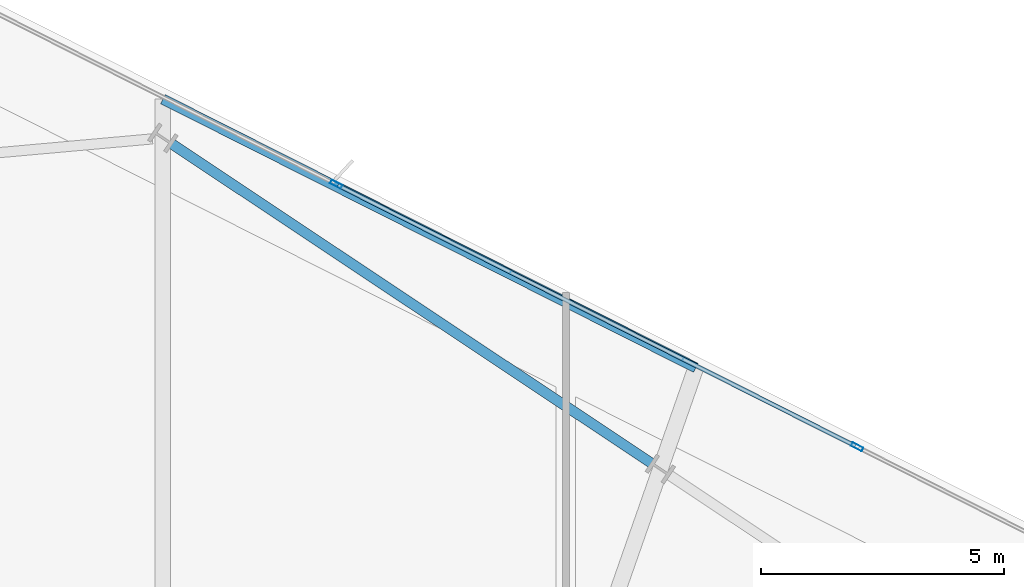
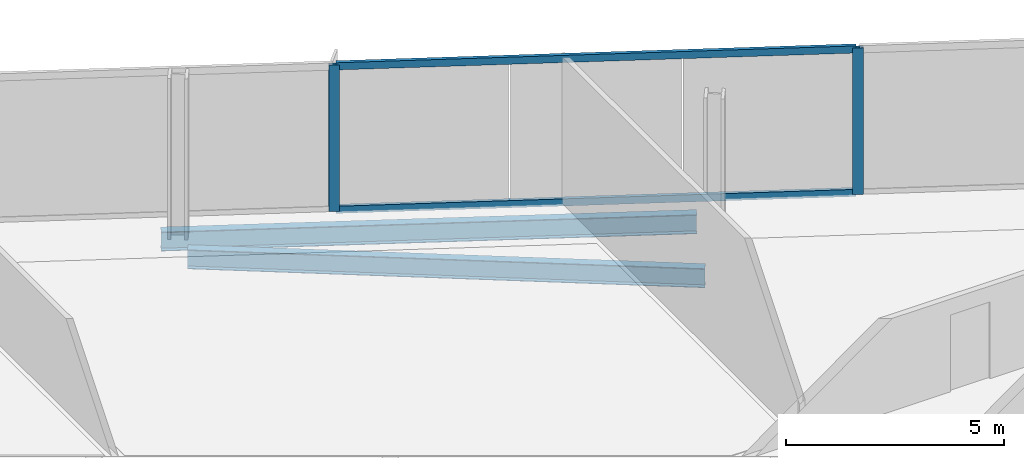
# One storey, part 18 of 27: 4 members, 2 beams, 1 element without a shape of its own.
"""IFC4 building model written with IfcOpenShell, lengths in metres."""

import ifcopenshell
import ifcopenshell.guid

model = None  # the IFC model being written
_history = None  # IfcOwnerHistory: only IFC2X3 demands one
_inside = {}  # id of a spatial element -> (the spatial element, [elements in it])
_under = {}  # id of a project, library or spatial element -> (it, [spatial elements below it])
_declared = {}  # id of a project -> (the project, [libraries it declares])
_typed = {}  # id of a type object -> (the type object, [elements of that type])
_made_of = {}  # id of a material, layer set ... -> (it, [elements and type objects made of it])


def new_model(schema):
    """Start an empty IFC model of exactly this schema.

    Asked for "IFC4X3", IfcOpenShell would pick the latest addendum, in which some entities
    have other attributes; the version numbers below select the first issue.
    IFC2X3 requires an IfcOwnerHistory on every rooted entity: one is made here for all.
    """
    global model, _history
    if schema == "IFC4X3":
        model = ifcopenshell.file(schema_version=(4, 3, 0, 0))
    else:
        model = ifcopenshell.file(schema=schema)
    _inside.clear()
    _under.clear()
    _declared.clear()
    _typed.clear()
    _made_of.clear()
    _history = None
    if model.schema == "IFC2X3":
        org = make("IfcOrganization", Name="unknown")
        user = make(
            "IfcPersonAndOrganization",
            ThePerson=make("IfcPerson", FamilyName="unknown"),
            TheOrganization=org,
        )
        app = make(
            "IfcApplication",
            ApplicationDeveloper=org,
            Version="unknown",
            ApplicationFullName="unknown",
            ApplicationIdentifier="unknown",
        )
        _history = make(
            "IfcOwnerHistory",
            OwningUser=user,
            OwningApplication=app,
            ChangeAction="ADDED",
            CreationDate=0,
        )
    return model


def make(cls, **values):
    """One entity of the class cls with the attributes given. An attribute that is None is left unset."""
    return model.create_entity(
        cls, **{name: value for name, value in values.items() if value is not None}
    )


def rooted(cls, **values):
    """An entity with a GlobalId (a new one), such as an element, a storey or a relation."""
    return make(cls, GlobalId=ifcopenshell.guid.new(), OwnerHistory=_history, **values)


def si_unit(unit_type, name, prefix=None):
    """IfcSIUnit, for example si_unit("LENGTHUNIT", "METRE", prefix="MILLI")."""
    return make("IfcSIUnit", UnitType=unit_type, Prefix=prefix, Name=name)


def assignment(units):
    """IfcUnitAssignment: the units of a project."""
    return None if units is None else make("IfcUnitAssignment", Units=units)


def point(xyz):
    """IfcCartesianPoint."""
    return None if xyz is None else make("IfcCartesianPoint", Coordinates=xyz)


def direction(xyz):
    """IfcDirection."""
    return None if xyz is None else make("IfcDirection", DirectionRatios=xyz)


def frame(location, z_axis=None, x_axis=None):
    """IfcAxis2Placement3D, a coordinate frame: its origin and axes. An axis left out is left unset."""
    return make(
        "IfcAxis2Placement3D",
        Location=point(location),
        Axis=direction(z_axis),
        RefDirection=direction(x_axis),
    )


def frame_2d(location, x_axis=None):
    """IfcAxis2Placement2D, a coordinate frame in the plane: its origin and x axis."""
    return make(
        "IfcAxis2Placement2D", Location=point(location), RefDirection=direction(x_axis)
    )


def origin():
    """The frame at (0, 0, 0) with its axes left unset."""
    return frame((0.0, 0.0, 0.0))


def origin_2d():
    """The frame at (0, 0) in the plane with its x axis left unset."""
    return frame_2d((0.0, 0.0))


def place(relative_to, where):
    """IfcLocalPlacement: puts the frame where relative to a parent placement (None: the world)."""
    return make(
        "IfcLocalPlacement", PlacementRelTo=relative_to, RelativePlacement=where
    )


def context(
    kind, dimensions, precision=None, world=None, true_north=None, identifier=None
):
    """IfcGeometricRepresentationContext, for example the 3D "Model" context."""
    return make(
        "IfcGeometricRepresentationContext",
        ContextIdentifier=identifier,
        ContextType=kind,
        CoordinateSpaceDimension=dimensions,
        Precision=precision,
        WorldCoordinateSystem=world,
        TrueNorth=true_north,
    )


def subcontext(parent, identifier, kind, view, scale=None):
    """IfcGeometricRepresentationSubContext, for example "Body" below "Model"."""
    return make(
        "IfcGeometricRepresentationSubContext",
        ContextIdentifier=identifier,
        ContextType=kind,
        ParentContext=parent,
        TargetScale=scale,
        TargetView=view,
    )


def project(units=None, contexts=None):
    """IfcProject with its units and contexts."""
    return rooted(
        "IfcProject",
        Name="project",
        RepresentationContexts=contexts,
        UnitsInContext=assignment(units),
    )


def spatial(cls, under=None, at=None, **own):
    """A site, building, storey or space (cls), placed at a placement, below another one or the project."""
    s = rooted(cls, ObjectPlacement=at, **own)
    if under is not None:
        _under.setdefault(under.id(), (under, []))[1].append(s)
    return s


def profile(cls, at=None, kind="AREA", **sizes):
    """A parametric profile (cls). Its sizes go by their IFC names, for example OverallWidth=200.0."""
    return make(cls, ProfileType=kind, Position=at, **sizes)


def hollow_rectangle(**sizes):
    """IfcRectangleHollowProfileDef."""
    return profile("IfcRectangleHollowProfileDef", **sizes)


def i_section(**sizes):
    """IfcIShapeProfileDef."""
    return profile("IfcIShapeProfileDef", **sizes)


def extrude(swept, where, along, depth):
    """IfcExtrudedAreaSolid: the profile swept, set in the frame where, extruded along a direction by depth."""
    return make(
        "IfcExtrudedAreaSolid",
        SweptArea=swept,
        Position=where,
        ExtrudedDirection=direction(along),
        Depth=depth,
    )


def shape(context_of_items, identifier, shape_type, items):
    """IfcShapeRepresentation: the items that make up one representation, for example the "Body"."""
    return make(
        "IfcShapeRepresentation",
        ContextOfItems=context_of_items,
        RepresentationIdentifier=identifier,
        RepresentationType=shape_type,
        Items=items,
    )


def material(Name=None, Category=None):
    """IfcMaterial."""
    return make("IfcMaterial", Name=Name, Category=Category)


def material_profile(
    of_material, cross_section, Name=None, Category=None, Priority=None
):
    """IfcMaterialProfile: a cross section and its material."""
    return make(
        "IfcMaterialProfile",
        Name=Name,
        Material=of_material,
        Profile=cross_section,
        Priority=Priority,
        Category=Category,
    )


def profile_set(profiles, Name=None, composite=None):
    """IfcMaterialProfileSet."""
    return make(
        "IfcMaterialProfileSet",
        Name=Name,
        MaterialProfiles=profiles,
        CompositeProfile=composite,
    )


def made_of(thing, what):
    """Note that an element or type object is made of a material, layer set ...; save() writes the relation."""
    if what is not None:
        _made_of.setdefault(what.id(), (what, []))[1].append(thing)
    return thing


def type_object(cls, material=None, **own):
    """A type object (cls), such as IfcWallType, which elements share."""
    return made_of(rooted(cls, **own), material)


def element(
    cls,
    number,
    at=None,
    inside=None,
    cuts=None,
    type_object=None,
    material=None,
    context=None,
    identifier="Body",
    shape_type=None,
    held_by="IfcProductDefinitionShape",
    body=None,
    shapes=None,
    **own,
):
    """One element of the class cls, such as IfcWall. Its Tag is "e" and its number.

    at: its placement. inside: the storey or other place that contains it. cuts: it is an
    opening in that element (IfcRelVoidsElement). A single representation is given by context,
    identifier, shape_type and body (its items); several are given by shapes. held_by: the class
    of the entity that holds the representations. save() writes the other relations.
    """
    e = rooted(cls, Tag="e%d" % number, ObjectPlacement=at, **own)
    if body is not None:
        shapes = [shape(context, identifier, shape_type, body)]
    if shapes is not None:
        e.Representation = make(held_by, Representations=shapes)
    if inside is not None:
        _inside.setdefault(inside.id(), (inside, []))[1].append(e)
    if cuts is not None:
        rooted(
            "IfcRelVoidsElement", RelatingBuildingElement=cuts, RelatedOpeningElement=e
        )
    if type_object is not None:
        _typed.setdefault(type_object.id(), (type_object, []))[1].append(e)
    return made_of(e, material)


def aggregate(whole, parts):
    """IfcRelAggregates: a whole, such as a stair, and the parts it consists of."""
    return rooted("IfcRelAggregates", RelatingObject=whole, RelatedObjects=parts)


def save(model, path):
    """Write the relations noted so far, then the file.

    IfcRelAggregates (storeys below a building ...), IfcRelContainedInSpatialStructure (elements
    in a storey), IfcRelDefinesByType, IfcRelAssociatesMaterial and IfcRelDeclares: one each for
    every whole, place, type object, material and project.
    """
    for whole, parts in _under.values():
        aggregate(whole, parts)
    for where, things in _inside.values():
        rooted(
            "IfcRelContainedInSpatialStructure",
            RelatedElements=things,
            RelatingStructure=where,
        )
    for kind, things in _typed.values():
        rooted("IfcRelDefinesByType", RelatedObjects=things, RelatingType=kind)
    for what, things in _made_of.values():
        rooted("IfcRelAssociatesMaterial", RelatedObjects=things, RelatingMaterial=what)
    for by, libraries in _declared.values():
        rooted("IfcRelDeclares", RelatingContext=by, RelatedDefinitions=libraries)
    model.write(path)


model = new_model("IFC4")

# Units and contexts
model_context = context("Model", 3, precision=1e-05, world=origin(), true_north=direction((0.0, 1.0)))
body_context = subcontext(model_context, "Body", "Model", "MODEL_VIEW")
ifc_project = project(units=[si_unit("LENGTHUNIT", "METRE"), si_unit("AREAUNIT", "SQUARE_METRE"), si_unit("VOLUMEUNIT", "CUBIC_METRE"), si_unit("PLANEANGLEUNIT", "RADIAN"), si_unit("MASSUNIT", "GRAM", prefix="KILO")], contexts=[model_context])

# Site, building, storey
site_placement = place(None, origin())
site = spatial("IfcSite", under=ifc_project, at=site_placement, CompositionType="ELEMENT")
building_placement = place(site_placement, origin())
building = spatial("IfcBuilding", under=site, at=building_placement, Name="Haldenkirk Collegiate Tower", CompositionType="ELEMENT")
storey_placement = place(building_placement, frame((0.0, 0.0, 239.699951171875)))
storey = spatial("IfcBuildingStorey", under=building, at=storey_placement, Name="L60", CompositionType="ELEMENT", Elevation=239.699951171875)

# Beams
ifc_material_1 = material(Name="Steel ASTM A992 Grade 50", Category="steel")
ifc_material_profile_1 = material_profile(ifc_material_1, i_section(OverallWidth=0.2099609375, OverallDepth=0.537109375, WebThickness=0.010986328125, FlangeThickness=0.017333984375, at=origin_2d()), Name="W21X68")
ifc_profile_set_1 = profile_set([ifc_material_profile_1], Name="Steel ASTM A992 Grade 50")
beam_type = type_object("IfcBeamType", Name="BM-SPANDREL-W21X68", PredefinedType="SPANDREL", material=ifc_profile_set_1)
beam_1_placement = place(storey_placement, frame((48.266845703125, 43.96240234375, -0.618408203125), z_axis=(-0.832429330124, 0.554131221237, 0.0), x_axis=(-0.554131221237, -0.832429330124, 0.0)))
element("IfcBeam", 1, at=beam_1_placement, inside=storey, type_object=beam_type, Name="L60 perimeter spandrel beam 07", PredefinedType="SPANDREL", context=body_context, shape_type="SweptSolid", body=[
    extrude(i_section(OverallWidth=0.2099609375, OverallDepth=0.537109375, WebThickness=0.010986328125, FlangeThickness=0.017333984375, at=origin_2d()), origin(), (0.0, 0.0, 1.0), 11.88525390625),
])
beam_2_placement = place(storey_placement, frame((49.17919921875, 45.93115234375, -0.618408203125), z_axis=(-0.892981904661, 0.450092565977, 0.0), x_axis=(-0.450092565977, -0.892981904661, 0.0)))
element("IfcBeam", 2, at=beam_2_placement, inside=storey, type_object=beam_type, Name="L60 outer facade edge beam 2", PredefinedType="SPANDREL", context=body_context, shape_type="SweptSolid", body=[
    extrude(i_section(OverallWidth=0.2099609375, OverallDepth=0.537109375, WebThickness=0.010986328125, FlangeThickness=0.017333984375, at=origin_2d()), origin(), (0.0, 0.0, 1.0), 12.30322265625),
])

# Curtain wall, members
ifc_material_2 = material(Name="Anodised architectural bronze aluminium", Category="aluminium")
curtain_wall_type = type_object("IfcCurtainWallType", Name="CW-SYS1B-CONVEX-HI", PredefinedType="USERDEFINED", material=ifc_material_2)
curtain_wall_placement = place(storey_placement, origin())
curtain_wall = element("IfcCurtainWall", 3, at=curtain_wall_placement, inside=storey, type_object=curtain_wall_type, Name="L60 Upper tower high-wind convex bronze unitised curtain wall", ObjectType="UNITISED CURTAIN WALL", PredefinedType="USERDEFINED")
ifc_material_profile_2 = material_profile(ifc_material_2, hollow_rectangle(XDim=0.0849609375, YDim=0.25, WallThickness=0.0048828125, at=origin_2d()), Name="CW-MUL-1B")
ifc_profile_set_2 = profile_set([ifc_material_profile_2], Name="Anodised architectural bronze aluminium")
member_type_1 = type_object("IfcMemberType", Name="CW-MUL-1B", PredefinedType="MULLION", material=ifc_profile_set_2)
member_1_placement = place(storey_placement, frame((41.76513671875, 49.712890625, 0.0), z_axis=(0.0, 0.0, 1.0), x_axis=(0.450098584579, 0.89297887106, 0.0)))
member_1 = element("IfcMember", 4, at=member_1_placement, type_object=member_type_1, Name="CW-1B mullion 2", PredefinedType="MULLION", context=body_context, shape_type="SweptSolid", body=[
    extrude(hollow_rectangle(XDim=0.0849609375, YDim=0.25, WallThickness=0.0048828125, at=origin_2d()), origin(), (0.0, 0.0, 1.0), 4.10009765625),
])
member_2_placement = place(storey_placement, frame((52.503173828125, 44.300537109375, 0.0), z_axis=(0.0, 0.0, 1.0), x_axis=(0.450098584579, 0.89297887106, 0.0)))
member_2 = element("IfcMember", 5, at=member_2_placement, type_object=member_type_1, Name="CW-1B mullion 3", PredefinedType="MULLION", context=body_context, shape_type="SweptSolid", body=[
    extrude(hollow_rectangle(XDim=0.0849609375, YDim=0.25, WallThickness=0.0048828125, at=origin_2d()), origin(), (0.0, 0.0, 1.0), 4.10009765625),
])
ifc_material_profile_3 = material_profile(ifc_material_2, hollow_rectangle(XDim=0.0849609375, YDim=0.199951171875, WallThickness=0.0048828125, at=origin_2d()), Name="CW-TRN-1B")
ifc_profile_set_3 = profile_set([ifc_material_profile_3], Name="Anodised architectural bronze aluminium")
member_type_2 = type_object("IfcMemberType", Name="CW-TRN-1B", PredefinedType="USERDEFINED", material=ifc_profile_set_3)
member_3_placement = place(storey_placement, frame((41.80322265625, 49.69384765625, 0.04248046875), z_axis=(0.892974835349, -0.450106591192, 0.0), x_axis=(0.450106591192, 0.892974835349, 0.0)))
member_3 = element("IfcMember", 6, at=member_3_placement, type_object=member_type_2, Name="CW-1B transom 2.1", ObjectType="TRANSOM", PredefinedType="USERDEFINED", context=body_context, shape_type="SweptSolid", body=[
    extrude(hollow_rectangle(XDim=0.0849609375, YDim=0.199951171875, WallThickness=0.0048828125, at=origin_2d()), origin(), (0.0, 0.0, 1.0), 11.93994140625),
])
member_4_placement = place(storey_placement, frame((41.80322265625, 49.69384765625, 4.0576171875), z_axis=(0.892974835349, -0.450106591192, 0.0), x_axis=(0.450106591192, 0.892974835349, 0.0)))
member_4 = element("IfcMember", 7, at=member_4_placement, type_object=member_type_2, Name="CW-1B transom 2.2", ObjectType="TRANSOM", PredefinedType="USERDEFINED", context=body_context, shape_type="SweptSolid", body=[
    extrude(hollow_rectangle(XDim=0.0849609375, YDim=0.199951171875, WallThickness=0.0048828125, at=origin_2d()), origin(), (0.0, 0.0, 1.0), 11.93994140625),
])
aggregate(curtain_wall, [member_1, member_2, member_3, member_4])

save(model, "model.ifc")
